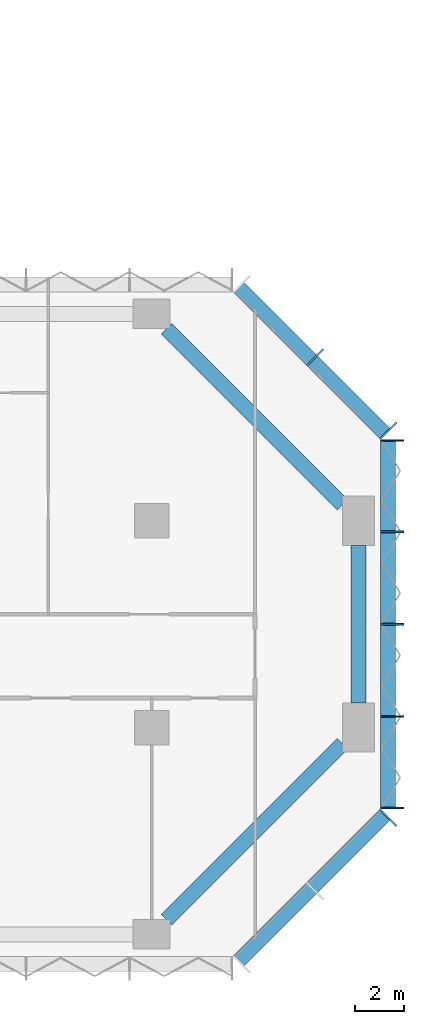
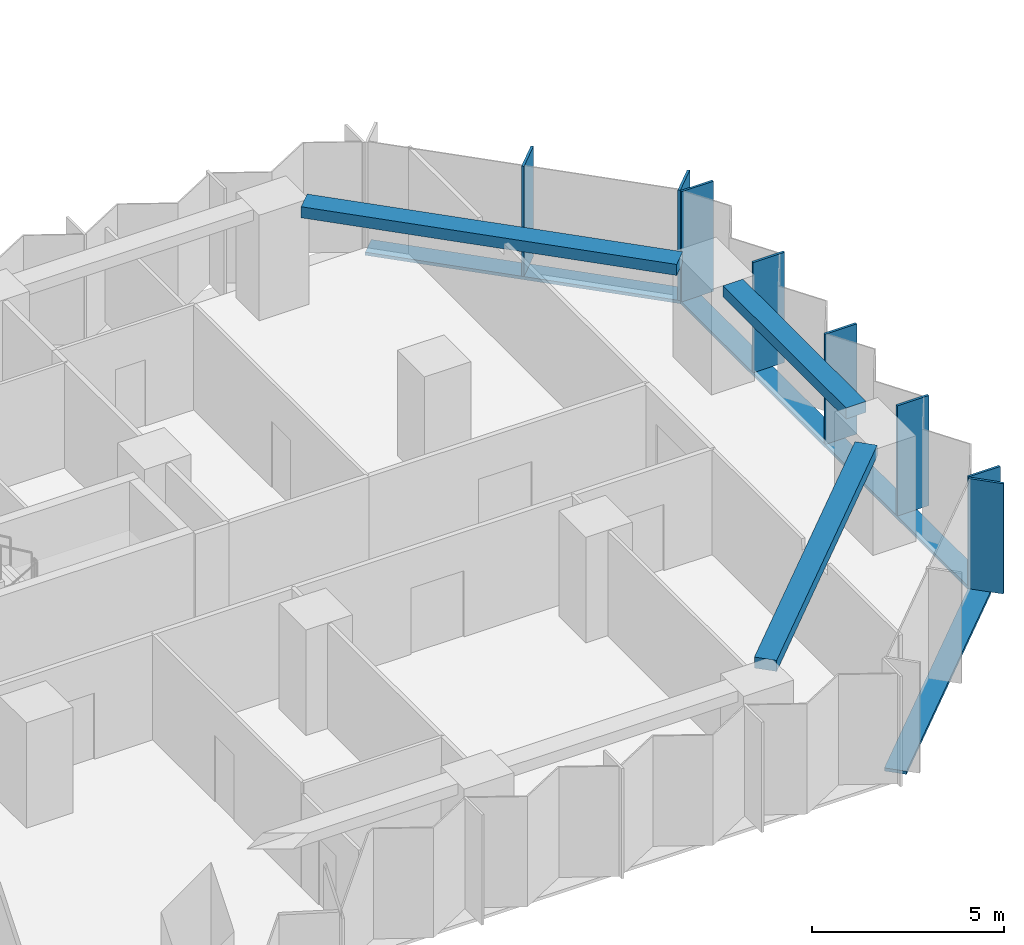
# One storey, part 5 of 18: 11 members, 3 beams, 3 elements without a shape of their own.
"""IFC4 building model written with IfcOpenShell, lengths in metres."""

from ifc_helpers import new_model, si_unit, direction, frame, origin, origin_2d, place, context, subcontext, project, spatial, rectangle, extrude, material, material_profile, profile_set, type_object, element, aggregate, save


model = new_model("IFC4")

# Units and contexts
model_context = context("Model", 3, precision=1e-05, world=origin(), true_north=direction((0.0, 1.0)))
body_context = subcontext(model_context, "Body", "Model", "MODEL_VIEW")
ifc_project = project(units=[si_unit("LENGTHUNIT", "METRE"), si_unit("AREAUNIT", "SQUARE_METRE"), si_unit("VOLUMEUNIT", "CUBIC_METRE"), si_unit("PLANEANGLEUNIT", "RADIAN"), si_unit("MASSUNIT", "GRAM", prefix="KILO")], contexts=[model_context])

# Site, building, storey
site_placement = place(None, origin())
site = spatial("IfcSite", under=ifc_project, at=site_placement, CompositionType="ELEMENT")
building_placement = place(site_placement, origin())
building = spatial("IfcBuilding", under=site, at=building_placement, Name="Brevane Broadcast Tower", CompositionType="ELEMENT")
storey_placement = place(building_placement, frame((0.0, 0.0, 40.10009765625)))
storey = spatial("IfcBuildingStorey", under=building, at=storey_placement, Name="L07", CompositionType="ELEMENT", Elevation=40.10009765625)

# Curtain wall, member
ifc_material_1 = material(Name="Aluminium 6063-T6 bronze anodised", Category="aluminium")
curtain_wall_type = type_object("IfcCurtainWallType", Name="CW-1 curtain wall", PredefinedType="NOTDEFINED", material=ifc_material_1)
curtain_wall_1_placement = place(storey_placement, origin())
curtain_wall_1 = element("IfcCurtainWall", 1, at=curtain_wall_1_placement, inside=storey, type_object=curtain_wall_type, Name="CW-1 typical tilted unit L07 south-east chamfer", PredefinedType="NOTDEFINED")
ifc_material_profile_1 = material_profile(ifc_material_1, rectangle(XDim=0.949951171875, YDim=0.070068359375, at=origin_2d()), Name="RECT 70x950")
ifc_profile_set_1 = profile_set([ifc_material_profile_1], Name="Aluminium 6063-T6 bronze anodised")
member_type_1 = type_object("IfcMemberType", Name="CW-1 mullion 70x950", PredefinedType="MULLION", material=ifc_profile_set_1)
member_1_placement = place(storey_placement, frame((68.4111328125, 4.7392578125, -0.150146484375), z_axis=(0.0, 0.0, 1.0), x_axis=(-0.707106781187, 0.707106781187, 0.0)))
member_1 = element("IfcMember", 2, at=member_1_placement, type_object=member_type_1, Name="CW-1 mullion", PredefinedType="MULLION", context=body_context, shape_type="SweptSolid", body=[
    extrude(rectangle(XDim=0.949951171875, YDim=0.070068359375, at=origin_2d()), origin(), (0.0, 0.0, 1.0), 3.5),
])

# Curtain wall, members
curtain_wall_2_placement = place(storey_placement, origin())
curtain_wall_2 = element("IfcCurtainWall", 3, at=curtain_wall_2_placement, inside=storey, type_object=curtain_wall_type, Name="CW-1 typical tilted unit L07 east end", PredefinedType="NOTDEFINED")
member_2_placement = place(storey_placement, frame((68.574951171875, 5.135009765625, -0.150146484375), z_axis=(0.0, 0.0, 1.0), x_axis=(-1.0, 0.0, 0.0)))
member_2 = element("IfcMember", 4, at=member_2_placement, type_object=member_type_1, Name="CW-1 mullion", PredefinedType="MULLION", context=body_context, shape_type="SweptSolid", body=[
    extrude(rectangle(XDim=0.949951171875, YDim=0.070068359375, at=origin_2d()), origin(), (0.0, 0.0, 1.0), 3.5),
])
member_3_placement = place(storey_placement, frame((68.574951171875, 8.85009765625, -0.150146484375), z_axis=(0.0, 0.0, 1.0), x_axis=(-1.0, 0.0, 0.0)))
member_3 = element("IfcMember", 5, at=member_3_placement, type_object=member_type_1, Name="CW-1 mullion", PredefinedType="MULLION", context=body_context, shape_type="SweptSolid", body=[
    extrude(rectangle(XDim=0.949951171875, YDim=0.070068359375, at=origin_2d()), origin(), (0.0, 0.0, 1.0), 3.5),
])
member_4_placement = place(storey_placement, frame((68.574951171875, 12.60009765625, -0.150146484375), z_axis=(0.0, 0.0, 1.0), x_axis=(-1.0, 0.0, 0.0)))
member_4 = element("IfcMember", 6, at=member_4_placement, type_object=member_type_1, Name="CW-1 mullion", PredefinedType="MULLION", context=body_context, shape_type="SweptSolid", body=[
    extrude(rectangle(XDim=0.949951171875, YDim=0.070068359375, at=origin_2d()), origin(), (0.0, 0.0, 1.0), 3.5),
])
member_5_placement = place(storey_placement, frame((68.574951171875, 16.35009765625, -0.150146484375), z_axis=(0.0, 0.0, 1.0), x_axis=(-1.0, 0.0, 0.0)))
member_5 = element("IfcMember", 7, at=member_5_placement, type_object=member_type_1, Name="CW-1 mullion", PredefinedType="MULLION", context=body_context, shape_type="SweptSolid", body=[
    extrude(rectangle(XDim=0.949951171875, YDim=0.070068359375, at=origin_2d()), origin(), (0.0, 0.0, 1.0), 3.5),
])
member_6_placement = place(storey_placement, frame((68.574951171875, 20.06494140625, -0.150146484375), z_axis=(0.0, 0.0, 1.0), x_axis=(-1.0, 0.0, 0.0)))
member_6 = element("IfcMember", 8, at=member_6_placement, type_object=member_type_1, Name="CW-1 mullion", PredefinedType="MULLION", context=body_context, shape_type="SweptSolid", body=[
    extrude(rectangle(XDim=0.949951171875, YDim=0.070068359375, at=origin_2d()), origin(), (0.0, 0.0, 1.0), 3.5),
])

curtain_wall_3_placement = place(storey_placement, origin())
curtain_wall_3 = element("IfcCurtainWall", 9, at=curtain_wall_3_placement, inside=storey, type_object=curtain_wall_type, Name="CW-1 typical tilted unit L07 north-east chamfer", PredefinedType="NOTDEFINED")
member_7_placement = place(storey_placement, frame((68.4111328125, 20.460693359375, -0.150146484375), z_axis=(0.0, 0.0, 1.0), x_axis=(-0.707106781187, -0.707106781187, 0.0)))
member_7 = element("IfcMember", 10, at=member_7_placement, type_object=member_type_1, Name="CW-1 mullion", PredefinedType="MULLION", context=body_context, shape_type="SweptSolid", body=[
    extrude(rectangle(XDim=0.949951171875, YDim=0.070068359375, at=origin_2d()), origin(), (0.0, 0.0, 1.0), 3.5),
])
member_8_placement = place(storey_placement, frame((65.435791015625, 23.435791015625, -0.150146484375), z_axis=(0.0, 0.0, 1.0), x_axis=(-0.707106781187, -0.707106781187, 0.0)))
member_8 = element("IfcMember", 11, at=member_8_placement, type_object=member_type_1, Name="CW-1 mullion", PredefinedType="MULLION", context=body_context, shape_type="SweptSolid", body=[
    extrude(rectangle(XDim=0.949951171875, YDim=0.070068359375, at=origin_2d()), origin(), (0.0, 0.0, 1.0), 3.5),
])

# Member
ifc_material_profile_2 = material_profile(ifc_material_1, rectangle(XDim=0.60009765625, YDim=0.10009765625, at=origin_2d()), Name="RECT 100x600")
ifc_profile_set_2 = profile_set([ifc_material_profile_2], Name="Aluminium 6063-T6 bronze anodised")
member_type_2 = type_object("IfcMemberType", Name="CW-1 transom 100x600", PredefinedType="USERDEFINED", material=ifc_profile_set_2)
member_9_placement = place(storey_placement, frame((62.31201171875, -1.112060546875, -0.2001953125), z_axis=(0.707106781187, 0.707106781187, 0.0), x_axis=(-0.707106781187, 0.707106781187, 0.0)))
member_9 = element("IfcMember", 12, at=member_9_placement, type_object=member_type_2, Name="CW-1 transom", ObjectType="TRANSOM", PredefinedType="USERDEFINED", context=body_context, shape_type="SweptSolid", body=[
    extrude(rectangle(XDim=0.60009765625, YDim=0.10009765625, at=origin_2d()), origin(), (0.0, 0.0, 1.0), 8.4853515625),
])

aggregate(curtain_wall_1, [member_1, member_9])

member_10_placement = place(storey_placement, frame((68.39990234375, 5.10009765625, -0.2001953125), z_axis=(0.0, 1.0, 0.0), x_axis=(-1.0, 0.0, 0.0)))
member_10 = element("IfcMember", 13, at=member_10_placement, type_object=member_type_2, Name="CW-1 transom", ObjectType="TRANSOM", PredefinedType="USERDEFINED", context=body_context, shape_type="SweptSolid", body=[
    extrude(rectangle(XDim=0.60009765625, YDim=0.10009765625, at=origin_2d()), origin(), (0.0, 0.0, 1.0), 15.0),
])

aggregate(curtain_wall_2, [member_2, member_3, member_4, member_5, member_6, member_10])

member_11_placement = place(storey_placement, frame((68.31201171875, 20.31201171875, -0.2001953125), z_axis=(-0.707106781187, 0.707106781187, 0.0), x_axis=(-0.707106781187, -0.707106781187, 0.0)))
member_11 = element("IfcMember", 14, at=member_11_placement, type_object=member_type_2, Name="CW-1 transom", ObjectType="TRANSOM", PredefinedType="USERDEFINED", context=body_context, shape_type="SweptSolid", body=[
    extrude(rectangle(XDim=0.60009765625, YDim=0.10009765625, at=origin_2d()), origin(), (0.0, 0.0, 1.0), 8.4853515625),
])

aggregate(curtain_wall_3, [member_7, member_8, member_11])

# Beams
ifc_material_2 = material(Name="Concrete C40/50", Category="concrete")
ifc_material_profile_3 = material_profile(ifc_material_2, rectangle(XDim=0.60009765625, YDim=0.35009765625, at=origin_2d()), Name="RC 600x350")
ifc_profile_set_3 = profile_set([ifc_material_profile_3], Name="Concrete C40/50")
beam_type = type_object("IfcBeamType", Name="RC SPANDREL BEAM 600x350 C40/50", PredefinedType="SPANDREL", material=ifc_profile_set_3)
beam_1_placement = place(storey_placement, frame((59.39990234375, 0.60009765625, 3.1748046875), z_axis=(0.707118853314, 0.707094708853, 0.0), x_axis=(-0.707094708853, 0.707118853314, 0.0)))
element("IfcBeam", 15, at=beam_1_placement, inside=storey, type_object=beam_type, Name="EB1 L07-5", PredefinedType="SPANDREL", context=body_context, shape_type="SweptSolid", body=[
    extrude(rectangle(XDim=0.60009765625, YDim=0.35009765625, at=origin_2d()), origin(), (0.0, 0.0, 1.0), 10.111572265625),
])
beam_2_placement = place(storey_placement, frame((67.199951171875, 9.39990234375, 3.1748046875), z_axis=(0.0, 1.0, 0.0), x_axis=(-1.0, 0.0, 0.0)))
element("IfcBeam", 16, at=beam_2_placement, inside=storey, type_object=beam_type, Name="EB1 L07-6", PredefinedType="SPANDREL", context=body_context, shape_type="SweptSolid", body=[
    extrude(rectangle(XDim=0.60009765625, YDim=0.35009765625, at=origin_2d()), origin(), (0.0, 0.0, 1.0), 6.400146484375),
])
beam_3_placement = place(storey_placement, frame((66.550048828125, 17.449951171875, 3.1748046875), z_axis=(-0.707106781187, 0.707106781187, 0.0), x_axis=(-0.707106781187, -0.707106781187, 0.0)))
element("IfcBeam", 17, at=beam_3_placement, inside=storey, type_object=beam_type, Name="EB1 L07-7", PredefinedType="SPANDREL", context=body_context, shape_type="SweptSolid", body=[
    extrude(rectangle(XDim=0.60009765625, YDim=0.35009765625, at=origin_2d()), origin(), (0.0, 0.0, 1.0), 10.11181640625),
])

save(model, "model.ifc")
